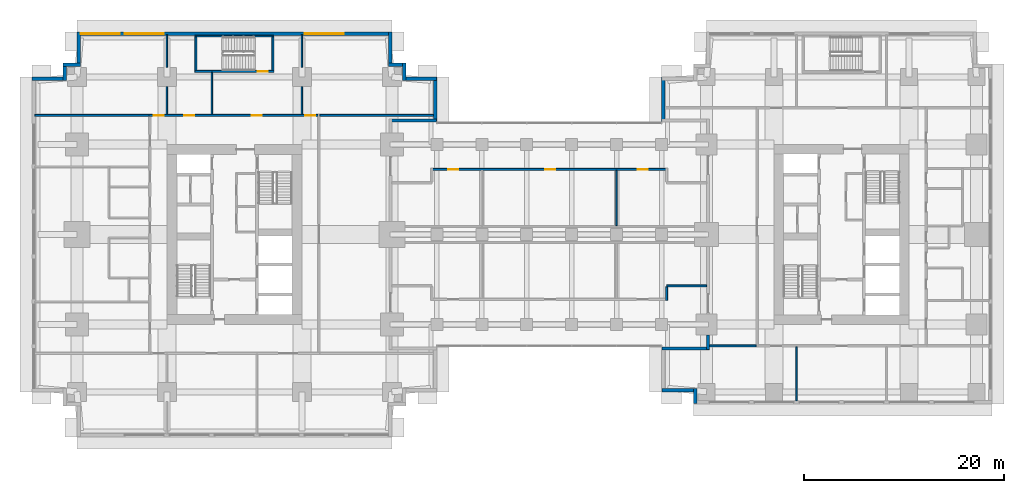
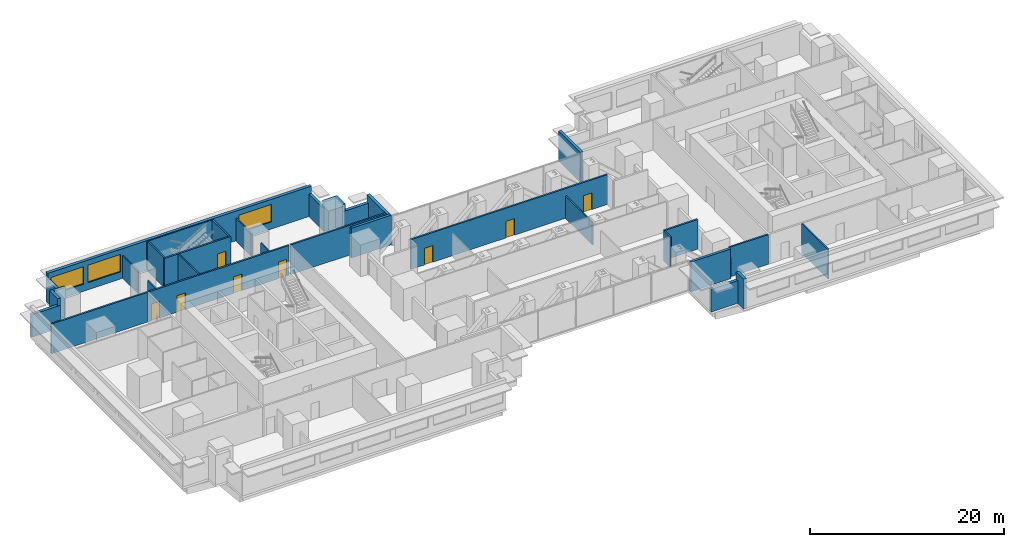
# One storey, part 9 of 16: 34 walls, 8 doors, 3 windows, 11 openings.
"""IFC4 building model written with IfcOpenShell, lengths in metres."""

from ifc_helpers import new_model, si_unit, direction, frame, frame_2d, origin, place, context, subcontext, project, spatial, rectangle, extrude, material, layer, layer_set, type_object, element, fill, save


model = new_model("IFC4")

# Units and contexts
model_context = context("Model", 3, precision=1e-05, world=origin(), true_north=direction((0.0, 1.0)))
body_context = subcontext(model_context, "Body", "Model", "MODEL_VIEW")
ifc_project = project(units=[si_unit("LENGTHUNIT", "METRE"), si_unit("AREAUNIT", "SQUARE_METRE"), si_unit("VOLUMEUNIT", "CUBIC_METRE"), si_unit("PLANEANGLEUNIT", "RADIAN"), si_unit("MASSUNIT", "GRAM", prefix="KILO")], contexts=[model_context])

# Site, building, storey
site_placement = place(None, origin())
site = spatial("IfcSite", under=ifc_project, at=site_placement, CompositionType="ELEMENT")
building_placement = place(site_placement, origin())
building = spatial("IfcBuilding", under=site, at=building_placement, Name="Namib Vertical Campus", CompositionType="ELEMENT")
storey_placement = place(building_placement, frame((0.0, 0.0, 113.0)))
storey = spatial("IfcBuildingStorey", under=building, at=storey_placement, Name="L26", CompositionType="ELEMENT", Elevation=113.0)

# Wall, openings, doors
ifc_material_1 = material(Name="Concrete masonry", Category="masonry")
ifc_layer_1 = layer(ifc_material_1, 0.199951171875)
ifc_layer_set_1 = layer_set([ifc_layer_1], Name="Corridor wall 200")
wall_type_1 = type_object("IfcWallType", Name="Corridor wall 200", PredefinedType="SOLIDWALL", material=ifc_layer_set_1)
wall_1_placement = place(storey_placement, frame((28.60009765625, 32.14990234375, 0.0), z_axis=(0.0, 0.0, 1.0), x_axis=(-1.0, 0.0, 0.0)))
wall_1 = element("IfcWall", 1, at=wall_1_placement, inside=storey, type_object=wall_type_1, Name="Corridor wall A L26 CN", PredefinedType="SOLIDWALL", context=body_context, shape_type="SweptSolid", body=[
    extrude(rectangle(XDim=16.900146484375, YDim=0.199951171875, at=frame_2d((8.4501953125, 0.0))), origin(), (0.0, 0.0, 1.0), 3.75),
])
opening_1_placement = place(wall_1_placement, frame((15.425048828125, 0.0, 0.0)))
opening_1 = element("IfcOpeningElement", 2, at=opening_1_placement, cuts=wall_1, Name="Opening CD1", PredefinedType="OPENING", context=body_context, shape_type="SweptSolid", body=[
    extrude(rectangle(XDim=1.0, YDim=2.10009765625, at=frame_2d((0.5, 1.050048828125))), frame((0.0, 0.10986328125, 0.0), z_axis=(0.0, -1.0, 0.0), x_axis=(1.0, 0.0, 0.0)), (0.0, 0.0, 1.0), 0.219970703125),
])
opening_2_placement = place(wall_1_placement, frame((12.35009765625, 0.0, 0.0)))
opening_2 = element("IfcOpeningElement", 3, at=opening_2_placement, cuts=wall_1, Name="Opening CD1", PredefinedType="OPENING", context=body_context, shape_type="SweptSolid", body=[
    extrude(rectangle(XDim=1.0, YDim=2.10009765625, at=frame_2d((0.5, 1.050048828125))), frame((0.0, 0.10986328125, 0.0), z_axis=(0.0, -1.0, 0.0), x_axis=(1.0, 0.0, 0.0)), (0.0, 0.0, 1.0), 0.219970703125),
])
opening_3_placement = place(wall_1_placement, frame((5.60009765625, 0.0, 0.0)))
opening_3 = element("IfcOpeningElement", 4, at=opening_3_placement, cuts=wall_1, Name="Opening CD1", PredefinedType="OPENING", context=body_context, shape_type="SweptSolid", body=[
    extrude(rectangle(XDim=1.0, YDim=2.10009765625, at=frame_2d((0.5, 1.050048828125))), frame((0.0, 0.10986328125, 0.0), z_axis=(0.0, -1.0, 0.0), x_axis=(1.0, 0.0, 0.0)), (0.0, 0.0, 1.0), 0.219970703125),
])
opening_4_placement = place(wall_1_placement, frame((0.27490234375, 0.0, 0.0)))
opening_4 = element("IfcOpeningElement", 5, at=opening_4_placement, cuts=wall_1, Name="Opening CD1", PredefinedType="OPENING", context=body_context, shape_type="SweptSolid", body=[
    extrude(rectangle(XDim=1.0, YDim=2.10009765625, at=frame_2d((0.5, 1.050048828125))), frame((0.0, 0.10986328125, 0.0), z_axis=(0.0, -1.0, 0.0), x_axis=(1.0, 0.0, 0.0)), (0.0, 0.0, 1.0), 0.219970703125),
])
ifc_material_2 = material(Name="Timber fire door leaf", Category="wood")
door_type_1 = type_object("IfcDoorType", Name="Corridor door 1000x2100 20 min", OperationType="SINGLE_SWING_LEFT", PredefinedType="DOOR", material=ifc_material_2)
door_1_placement = place(opening_1_placement, frame((1.0, 0.0, 0.0), z_axis=(0.0, 0.0, 1.0), x_axis=(-1.0, 0.0, 0.0)))
door_1 = element("IfcDoor", 6, at=door_1_placement, inside=storey, type_object=door_type_1, Name="Door CD1 A26-05", OperationType="SINGLE_SWING_RIGHT", OverallHeight=2.10009765625, OverallWidth=1.0, PredefinedType="DOOR", context=body_context, shape_type="SweptSolid", body=[
    extrude(rectangle(XDim=1.0, YDim=2.10009765625, at=frame_2d((0.5, 1.050048828125))), frame((0.0, 0.02490234375, 0.0), z_axis=(0.0, -1.0, 0.0), x_axis=(1.0, 0.0, 0.0)), (0.0, 0.0, 1.0), 0.050048828125),
])
fill(opening_1, door_1)
door_2_placement = place(opening_2_placement, frame((1.0, 0.0, 0.0), z_axis=(0.0, 0.0, 1.0), x_axis=(-1.0, 0.0, 0.0)))
door_2 = element("IfcDoor", 7, at=door_2_placement, inside=storey, type_object=door_type_1, Name="Door CD1 A26-06", OperationType="SINGLE_SWING_RIGHT", OverallHeight=2.10009765625, OverallWidth=1.0, PredefinedType="DOOR", context=body_context, shape_type="SweptSolid", body=[
    extrude(rectangle(XDim=1.0, YDim=2.10009765625, at=frame_2d((0.5, 1.050048828125))), frame((0.0, 0.02490234375, 0.0), z_axis=(0.0, -1.0, 0.0), x_axis=(1.0, 0.0, 0.0)), (0.0, 0.0, 1.0), 0.050048828125),
])
fill(opening_2, door_2)
door_3_placement = place(opening_3_placement, frame((1.0, 0.0, 0.0), z_axis=(0.0, 0.0, 1.0), x_axis=(-1.0, 0.0, 0.0)))
door_3 = element("IfcDoor", 8, at=door_3_placement, inside=storey, type_object=door_type_1, Name="Door CD1 A26-07", OperationType="SINGLE_SWING_RIGHT", OverallHeight=2.10009765625, OverallWidth=1.0, PredefinedType="DOOR", context=body_context, shape_type="SweptSolid", body=[
    extrude(rectangle(XDim=1.0, YDim=2.10009765625, at=frame_2d((0.5, 1.050048828125))), frame((0.0, 0.02490234375, 0.0), z_axis=(0.0, -1.0, 0.0), x_axis=(1.0, 0.0, 0.0)), (0.0, 0.0, 1.0), 0.050048828125),
])
fill(opening_3, door_3)
door_4_placement = place(opening_4_placement, frame((1.0, 0.0, 0.0), z_axis=(0.0, 0.0, 1.0), x_axis=(-1.0, 0.0, 0.0)))
door_4 = element("IfcDoor", 9, at=door_4_placement, inside=storey, type_object=door_type_1, Name="Door CD1 A26-08", OperationType="SINGLE_SWING_LEFT", OverallHeight=2.10009765625, OverallWidth=1.0, PredefinedType="DOOR", context=body_context, shape_type="SweptSolid", body=[
    extrude(rectangle(XDim=1.0, YDim=2.10009765625, at=frame_2d((0.5, 1.050048828125))), frame((0.0, 0.02490234375, 0.0), z_axis=(0.0, -1.0, 0.0), x_axis=(1.0, 0.0, 0.0)), (0.0, 0.0, 1.0), 0.050048828125),
])
fill(opening_4, door_4)

# Walls
for number, where, z_axis, x_axis, name in (
    (10, (0.300048828125, 32.14990234375, 0.0), (0.0, 0.0, 1.0), (1.0, 0.0, 0.0), "Partition A L26 BNW"),
    (11, (28.800048828125, 32.14990234375, 0.0), (0.0, 0.0, 1.0), (1.0, 0.0, 0.0), "Partition A L26 BNE"),
):
    element("IfcWall", number, at=place(storey_placement, frame(where, z_axis=z_axis, x_axis=x_axis)), inside=storey, type_object=wall_type_1, Name=name, PredefinedType="SOLIDWALL", context=body_context, shape_type="SweptSolid", body=[
        extrude(rectangle(XDim=11.39990234375, YDim=0.199951171875, at=frame_2d((5.699951171875, 0.0))), origin(), (0.0, 0.0, 1.0), 3.75),
    ])
wall_2_placement = place(storey_placement, frame((67.800048828125, 9.10009765625, 0.0), z_axis=(0.0, 0.0, 1.0), x_axis=(1.0, 0.0, 0.0)))
element("IfcWall", 12, at=wall_2_placement, inside=storey, type_object=wall_type_1, Name="Partition B L26 BSW", PredefinedType="SOLIDWALL", context=body_context, shape_type="SweptSolid", body=[
    extrude(rectangle(XDim=4.64990234375, YDim=0.199951171875, at=frame_2d((2.324951171875, 0.0))), origin(), (0.0, 0.0, 1.0), 3.75),
])
wall_3_placement = place(storey_placement, frame((63.5, 15.10009765625, 0.0), z_axis=(0.0, 0.0, 1.0), x_axis=(1.0, 0.0, 0.0)))
element("IfcWall", 13, at=wall_3_placement, inside=storey, type_object=wall_type_1, Name="Lobby wall L26 E", PredefinedType="SOLIDWALL", context=body_context, shape_type="SweptSolid", body=[
    extrude(rectangle(XDim=4.0, YDim=0.199951171875, at=frame_2d((2.0, 0.0))), origin(), (0.0, 0.0, 1.0), 3.75),
])
wall_4_placement = place(storey_placement, frame((63.5, 13.64990234375, 0.0), z_axis=(0.0, 0.0, 1.0), x_axis=(0.0, 1.0, 0.0)))
element("IfcWall", 14, at=wall_4_placement, inside=storey, type_object=wall_type_1, Name="Lobby side wall L26 E", PredefinedType="SOLIDWALL", context=body_context, shape_type="SweptSolid", body=[
    extrude(rectangle(XDim=1.35009765625, YDim=0.199951171875, at=frame_2d((0.675048828125, 0.0))), origin(), (0.0, 0.0, 1.0), 3.75),
])

# Wall, openings, doors
wall_5_placement = place(storey_placement, frame((40.0, 26.75, 0.0), z_axis=(0.0, 0.0, 1.0), x_axis=(1.0, 0.0, 0.0)))
wall_5 = element("IfcWall", 15, at=wall_5_placement, inside=storey, type_object=wall_type_1, Name="North corridor wall L26", PredefinedType="SOLIDWALL", context=body_context, shape_type="SweptSolid", body=[
    extrude(rectangle(XDim=23.5, YDim=0.199951171875, at=frame_2d((11.75, 0.0))), origin(), (0.0, 0.0, 1.0), 3.75),
])
opening_5_placement = place(wall_5_placement, frame((1.64990234375, 0.0, 0.0)))
opening_5 = element("IfcOpeningElement", 16, at=opening_5_placement, cuts=wall_5, Name="Opening CD1", PredefinedType="OPENING", context=body_context, shape_type="SweptSolid", body=[
    extrude(rectangle(XDim=1.0, YDim=2.10009765625, at=frame_2d((0.5, 1.050048828125))), frame((0.0, 0.10986328125, 0.0), z_axis=(0.0, -1.0, 0.0), x_axis=(1.0, 0.0, 0.0)), (0.0, 0.0, 1.0), 0.219970703125),
])
opening_6_placement = place(wall_5_placement, frame((11.35009765625, 0.0, 0.0)))
opening_6 = element("IfcOpeningElement", 17, at=opening_6_placement, cuts=wall_5, Name="Opening CD1", PredefinedType="OPENING", context=body_context, shape_type="SweptSolid", body=[
    extrude(rectangle(XDim=1.0, YDim=2.10009765625, at=frame_2d((0.5, 1.050048828125))), frame((0.0, 0.10986328125, 0.0), z_axis=(0.0, -1.0, 0.0), x_axis=(1.0, 0.0, 0.0)), (0.0, 0.0, 1.0), 0.219970703125),
])
opening_7_placement = place(wall_5_placement, frame((20.60009765625, 0.0, 0.0)))
opening_7 = element("IfcOpeningElement", 18, at=opening_7_placement, cuts=wall_5, Name="Opening CD1", PredefinedType="OPENING", context=body_context, shape_type="SweptSolid", body=[
    extrude(rectangle(XDim=1.0, YDim=2.10009765625, at=frame_2d((0.5, 1.050048828125))), frame((0.0, 0.10986328125, 0.0), z_axis=(0.0, -1.0, 0.0), x_axis=(1.0, 0.0, 0.0)), (0.0, 0.0, 1.0), 0.219970703125),
])
door_5_placement = place(opening_5_placement, frame((1.0, 0.0, 0.0), z_axis=(0.0, 0.0, 1.0), x_axis=(-1.0, 0.0, 0.0)))
door_5 = element("IfcDoor", 19, at=door_5_placement, inside=storey, type_object=door_type_1, Name="Door CD1 BR26-06", OperationType="SINGLE_SWING_RIGHT", OverallHeight=2.10009765625, OverallWidth=1.0, PredefinedType="DOOR", context=body_context, shape_type="SweptSolid", body=[
    extrude(rectangle(XDim=1.0, YDim=2.10009765625, at=frame_2d((0.5, 1.050048828125))), frame((0.0, 0.02490234375, 0.0), z_axis=(0.0, -1.0, 0.0), x_axis=(1.0, 0.0, 0.0)), (0.0, 0.0, 1.0), 0.050048828125),
])
fill(opening_5, door_5)
door_6_placement = place(opening_6_placement, frame((1.0, 0.0, 0.0), z_axis=(0.0, 0.0, 1.0), x_axis=(-1.0, 0.0, 0.0)))
door_6 = element("IfcDoor", 20, at=door_6_placement, inside=storey, type_object=door_type_1, Name="Door CD1 BR26-07", OperationType="SINGLE_SWING_LEFT", OverallHeight=2.10009765625, OverallWidth=1.0, PredefinedType="DOOR", context=body_context, shape_type="SweptSolid", body=[
    extrude(rectangle(XDim=1.0, YDim=2.10009765625, at=frame_2d((0.5, 1.050048828125))), frame((0.0, 0.02490234375, 0.0), z_axis=(0.0, -1.0, 0.0), x_axis=(1.0, 0.0, 0.0)), (0.0, 0.0, 1.0), 0.050048828125),
])
fill(opening_6, door_6)
door_7_placement = place(opening_7_placement, frame((1.0, 0.0, 0.0), z_axis=(0.0, 0.0, 1.0), x_axis=(-1.0, 0.0, 0.0)))
door_7 = element("IfcDoor", 21, at=door_7_placement, inside=storey, type_object=door_type_1, Name="Door CD1 BR26-08", OperationType="SINGLE_SWING_LEFT", OverallHeight=2.10009765625, OverallWidth=1.0, PredefinedType="DOOR", context=body_context, shape_type="SweptSolid", body=[
    extrude(rectangle(XDim=1.0, YDim=2.10009765625, at=frame_2d((0.5, 1.050048828125))), frame((0.0, 0.02490234375, 0.0), z_axis=(0.0, -1.0, 0.0), x_axis=(1.0, 0.0, 0.0)), (0.0, 0.0, 1.0), 0.050048828125),
])
fill(opening_7, door_7)

# Walls
ifc_material_3 = material(Name="Concrete C40/50", Category="concrete")
ifc_layer_2 = layer(ifc_material_3, 0.35009765625)
ifc_layer_set_2 = layer_set([ifc_layer_2], Name="Concrete C40/50")
wall_type_2 = type_object("IfcWallType", Name="External wall 350 bush-hammered concrete", PredefinedType="STANDARD", material=ifc_layer_set_2)
wall_6_placement = place(storey_placement, frame((40.324951171875, 31.52001953125, 0.0), z_axis=(0.0, 0.0, 1.0), x_axis=(0.0, 1.0, 0.0)))
element("IfcWall", 22, at=wall_6_placement, inside=storey, type_object=wall_type_2, Name="External wall L26 F11", PredefinedType="STANDARD", context=body_context, shape_type="SweptSolid", body=[
    extrude(rectangle(XDim=4.4599609375, YDim=0.35009765625, at=frame_2d((2.22998046875, 0.0))), origin(), (0.0, 0.0, 1.0), 3.75),
])
wall_7_placement = place(storey_placement, frame((40.47998046875, 35.824951171875, 0.0), z_axis=(0.0, 0.0, 1.0), x_axis=(-1.0, 0.0, 0.0)))
element("IfcWall", 23, at=wall_7_placement, inside=storey, type_object=wall_type_2, Name="External wall L26 F12", PredefinedType="STANDARD", context=body_context, shape_type="SweptSolid", body=[
    extrude(rectangle(XDim=3.409912109375, YDim=0.35009765625, at=frame_2d((1.705078125, 0.0))), origin(), (0.0, 0.0, 1.0), 2.85009765625),
])
for number, where, z_axis, x_axis, name in (
    (24, (37.22509765625, 35.669921875, 0.0), (0.0, 0.0, 1.0), (0.0, 1.0, 0.0), "External wall L26 F13"),
    (25, (37.3798828125, 37.22509765625, 0.0), (0.0, 0.0, 1.0), (-1.0, 0.0, 0.0), "External wall L26 F14"),
):
    element("IfcWall", number, at=place(storey_placement, frame(where, z_axis=z_axis, x_axis=x_axis)), inside=storey, type_object=wall_type_2, Name=name, PredefinedType="STANDARD", context=body_context, shape_type="SweptSolid", body=[
        extrude(rectangle(XDim=1.7099609375, YDim=0.35009765625, at=frame_2d((0.85498046875, 0.0))), origin(), (0.0, 0.0, 1.0), 3.75),
    ])
wall_8_placement = place(storey_placement, frame((35.824951171875, 37.070068359375, 0.0), z_axis=(0.0, 0.0, 1.0), x_axis=(0.0, 1.0, 0.0)))
element("IfcWall", 26, at=wall_8_placement, inside=storey, type_object=wall_type_2, Name="External wall L26 F15", PredefinedType="STANDARD", context=body_context, shape_type="SweptSolid", body=[
    extrude(rectangle(XDim=3.409912109375, YDim=0.35009765625, at=frame_2d((1.705078125, 0.0))), origin(), (0.0, 0.0, 1.0), 2.85009765625),
])

# Wall, openings, windows
wall_9_placement = place(storey_placement, frame((35.97998046875, 40.324951171875, 0.0), z_axis=(0.0, 0.0, 1.0), x_axis=(-1.0, 0.0, 0.0)))
wall_9 = element("IfcWall", 27, at=wall_9_placement, inside=storey, type_object=wall_type_2, Name="External wall L26 F16", PredefinedType="STANDARD", context=body_context, shape_type="SweptSolid", body=[
    extrude(rectangle(XDim=31.4599609375, YDim=0.35009765625, at=frame_2d((15.72998046875, 0.0))), origin(), (0.0, 0.0, 1.0), 3.75),
])
opening_8_placement = place(wall_9_placement, frame((27.2099609375, 0.0, 0.89990234375)))
opening_8 = element("IfcOpeningElement", 28, at=opening_8_placement, cuts=wall_9, Name="Opening W1", PredefinedType="OPENING", context=body_context, shape_type="SweptSolid", body=[
    extrude(rectangle(XDim=3.89990234375, YDim=2.199951171875, at=frame_2d((1.949951171875, 1.10009765625))), frame((0.0, 0.18505859375, 0.0), z_axis=(0.0, -1.0, 0.0), x_axis=(1.0, 0.0, 0.0)), (0.0, 0.0, 1.0), 0.3701171875),
])
opening_9_placement = place(wall_9_placement, frame((22.780029296875, 0.0, 0.89990234375)))
opening_9 = element("IfcOpeningElement", 29, at=opening_9_placement, cuts=wall_9, Name="Opening W1", PredefinedType="OPENING", context=body_context, shape_type="SweptSolid", body=[
    extrude(rectangle(XDim=3.89990234375, YDim=2.199951171875, at=frame_2d((1.949951171875, 1.10009765625))), frame((0.0, 0.18505859375, 0.0), z_axis=(0.0, -1.0, 0.0), x_axis=(1.0, 0.0, 0.0)), (0.0, 0.0, 1.0), 0.3701171875),
])
opening_10_placement = place(wall_9_placement, frame((4.780029296875, 0.0, 0.89990234375)))
opening_10 = element("IfcOpeningElement", 30, at=opening_10_placement, cuts=wall_9, Name="Opening W1", PredefinedType="OPENING", context=body_context, shape_type="SweptSolid", body=[
    extrude(rectangle(XDim=3.89990234375, YDim=2.199951171875, at=frame_2d((1.949951171875, 1.10009765625))), frame((0.0, 0.18505859375, 0.0), z_axis=(0.0, -1.0, 0.0), x_axis=(1.0, 0.0, 0.0)), (0.0, 0.0, 1.0), 0.3701171875),
])
ifc_material_4 = material(Name="Dark tinted glass in black aluminium frame", Category="aluminium")
window_type = type_object("IfcWindowType", Name="Ribbon window 3900x2200", PartitioningType="SINGLE_PANEL", PredefinedType="WINDOW", material=ifc_material_4)
window_1_placement = place(opening_8_placement, origin())
window_1 = element("IfcWindow", 31, at=window_1_placement, inside=storey, type_object=window_type, Name="Window W1 L26 F16-1", OverallHeight=2.199951171875, OverallWidth=3.89990234375, PartitioningType="SINGLE_PANEL", PredefinedType="WINDOW", context=body_context, shape_type="SweptSolid", body=[
    extrude(rectangle(XDim=3.89990234375, YDim=2.199951171875, at=frame_2d((1.949951171875, 1.10009765625))), frame((0.0, 0.030029296875, 0.0), z_axis=(0.0, -1.0, 0.0), x_axis=(1.0, 0.0, 0.0)), (0.0, 0.0, 1.0), 0.06005859375),
])
fill(opening_8, window_1)
window_2_placement = place(opening_9_placement, origin())
window_2 = element("IfcWindow", 32, at=window_2_placement, inside=storey, type_object=window_type, Name="Window W1 L26 F16-2", OverallHeight=2.199951171875, OverallWidth=3.89990234375, PartitioningType="SINGLE_PANEL", PredefinedType="WINDOW", context=body_context, shape_type="SweptSolid", body=[
    extrude(rectangle(XDim=3.89990234375, YDim=2.199951171875, at=frame_2d((1.949951171875, 1.10009765625))), frame((0.0, 0.030029296875, 0.0), z_axis=(0.0, -1.0, 0.0), x_axis=(1.0, 0.0, 0.0)), (0.0, 0.0, 1.0), 0.06005859375),
])
fill(opening_9, window_2)
window_3_placement = place(opening_10_placement, origin())
window_3 = element("IfcWindow", 33, at=window_3_placement, inside=storey, type_object=window_type, Name="Window W1 L26 F16-6", OverallHeight=2.199951171875, OverallWidth=3.89990234375, PartitioningType="SINGLE_PANEL", PredefinedType="WINDOW", context=body_context, shape_type="SweptSolid", body=[
    extrude(rectangle(XDim=3.89990234375, YDim=2.199951171875, at=frame_2d((1.949951171875, 1.10009765625))), frame((0.0, 0.030029296875, 0.0), z_axis=(0.0, -1.0, 0.0), x_axis=(1.0, 0.0, 0.0)), (0.0, 0.0, 1.0), 0.06005859375),
])
fill(opening_10, window_3)

# Walls
wall_10_placement = place(storey_placement, frame((4.675048828125, 40.47998046875, 0.0), z_axis=(0.0, 0.0, 1.0), x_axis=(0.0, -1.0, 0.0)))
element("IfcWall", 34, at=wall_10_placement, inside=storey, type_object=wall_type_2, Name="External wall L26 F17", PredefinedType="STANDARD", context=body_context, shape_type="SweptSolid", body=[
    extrude(rectangle(XDim=3.409912109375, YDim=0.35009765625, at=frame_2d((1.705078125, 0.0))), origin(), (0.0, 0.0, 1.0), 2.85009765625),
])
for number, where, z_axis, x_axis, name in (
    (35, (4.830078125, 37.22509765625, 0.0), (0.0, 0.0, 1.0), (-1.0, 0.0, 0.0), "External wall L26 F18"),
    (36, (3.27490234375, 37.3798828125, 0.0), (0.0, 0.0, 1.0), (0.0, -1.0, 0.0), "External wall L26 F19"),
):
    element("IfcWall", number, at=place(storey_placement, frame(where, z_axis=z_axis, x_axis=x_axis)), inside=storey, type_object=wall_type_2, Name=name, PredefinedType="STANDARD", context=body_context, shape_type="SweptSolid", body=[
        extrude(rectangle(XDim=1.7099609375, YDim=0.35009765625, at=frame_2d((0.85498046875, 0.0))), origin(), (0.0, 0.0, 1.0), 3.75),
    ])
wall_11_placement = place(storey_placement, frame((3.429931640625, 35.824951171875, 0.0), z_axis=(0.0, 0.0, 1.0), x_axis=(-1.0, 0.0, 0.0)))
element("IfcWall", 37, at=wall_11_placement, inside=storey, type_object=wall_type_2, Name="External wall L26 F20", PredefinedType="STANDARD", context=body_context, shape_type="SweptSolid", body=[
    extrude(rectangle(XDim=3.409912109375, YDim=0.35009765625, at=frame_2d((1.705078125, 0.0))), origin(), (0.0, 0.0, 1.0), 2.85009765625),
])
wall_12_placement = place(storey_placement, frame((63.02001953125, 4.675048828125, 0.0), z_axis=(0.0, 0.0, 1.0), x_axis=(1.0, 0.0, 0.0)))
element("IfcWall", 38, at=wall_12_placement, inside=storey, type_object=wall_type_2, Name="External wall L26 F02", PredefinedType="STANDARD", context=body_context, shape_type="SweptSolid", body=[
    extrude(rectangle(XDim=3.510009765625, YDim=0.35009765625, at=frame_2d((1.7548828125, 0.0))), origin(), (0.0, 0.0, 1.0), 2.85009765625),
])
wall_13_placement = place(storey_placement, frame((66.375, 4.830078125, 0.0), z_axis=(0.0, 0.0, 1.0), x_axis=(0.0, -1.0, 0.0)))
element("IfcWall", 39, at=wall_13_placement, inside=storey, type_object=wall_type_2, Name="External wall L26 F03", PredefinedType="STANDARD", context=body_context, shape_type="SweptSolid", body=[
    extrude(rectangle(XDim=1.510009765625, YDim=0.35009765625, at=frame_2d((0.7548828125, 0.0))), origin(), (0.0, 0.0, 1.0), 3.75),
])
wall_14_placement = place(storey_placement, frame((63.175048828125, 35.97998046875, 0.0), z_axis=(0.0, 0.0, 1.0), x_axis=(0.0, -1.0, 0.0)))
element("IfcWall", 40, at=wall_14_placement, inside=storey, type_object=wall_type_2, Name="External wall L26 F13", PredefinedType="STANDARD", context=body_context, shape_type="SweptSolid", body=[
    extrude(rectangle(XDim=4.4599609375, YDim=0.35009765625, at=frame_2d((2.22998046875, 0.0))), origin(), (0.0, 0.0, 1.0), 3.75),
])
ifc_material_5 = material(Name="Concrete masonry", Category="masonry")
ifc_layer_3 = layer(ifc_material_5, 0.300048828125)
ifc_layer_set_3 = layer_set([ifc_layer_3], Name="Fire wall 300")
wall_type_3 = type_object("IfcWallType", Name="Fire wall 300", PredefinedType="SOLIDWALL", material=ifc_layer_set_3)
wall_15_placement = place(storey_placement, frame((35.719970703125, 31.64990234375, 0.0), z_axis=(0.0, 0.0, 1.0), x_axis=(1.0, 0.0, 0.0)))
element("IfcWall", 41, at=wall_15_placement, inside=storey, type_object=wall_type_3, Name="External wall L26 F10", PredefinedType="SOLIDWALL", context=body_context, shape_type="SweptSolid", body=[
    extrude(rectangle(XDim=4.760009765625, YDim=0.300048828125, at=frame_2d((2.3798828125, 0.0))), origin(), (0.0, 0.0, 1.0), 3.75),
])
wall_16_placement = place(storey_placement, frame((67.64990234375, 10.199951171875, 0.0), z_axis=(0.0, 0.0, 1.0), x_axis=(0.0, -1.0, 0.0)))
element("IfcWall", 42, at=wall_16_placement, inside=storey, type_object=wall_type_3, Name="External wall L26 F15", PredefinedType="SOLIDWALL", context=body_context, shape_type="SweptSolid", body=[
    extrude(rectangle(XDim=1.47998046875, YDim=0.300048828125, at=frame_2d((0.739990234375, 0.0))), origin(), (0.0, 0.0, 1.0), 2.64990234375),
])
wall_17_placement = place(storey_placement, frame((67.780029296875, 8.85009765625, 0.0), z_axis=(0.0, 0.0, 1.0), x_axis=(-1.0, 0.0, 0.0)))
element("IfcWall", 43, at=wall_17_placement, inside=storey, type_object=wall_type_3, Name="External wall L26 F16", PredefinedType="SOLIDWALL", context=body_context, shape_type="SweptSolid", body=[
    extrude(rectangle(XDim=4.760009765625, YDim=0.300048828125, at=frame_2d((2.3798828125, 0.0))), origin(), (0.0, 0.0, 1.0), 3.75),
])
ifc_material_6 = material(Name="Gypsum board on steel studs", Category="steel")
ifc_layer_4 = layer(ifc_material_6, 0.14990234375)
ifc_layer_set_4 = layer_set([ifc_layer_4], Name="Gypsum board on steel studs")
wall_type_4 = type_object("IfcWallType", Name="Partition 150", PredefinedType="PARTITIONING", material=ifc_layer_set_4)
wall_18_placement = place(storey_placement, frame((13.5, 32.25, 0.0), z_axis=(0.0, 0.0, 1.0), x_axis=(0.0, 1.0, 0.0)))
element("IfcWall", 44, at=wall_18_placement, inside=storey, type_object=wall_type_4, Name="Partition A L26 PN1", PredefinedType="PARTITIONING", context=body_context, shape_type="SweptSolid", body=[
    extrude(rectangle(XDim=2.780029296875, YDim=0.14990234375, at=frame_2d((1.39013671875, 0.0))), origin(), (0.0, 0.0, 1.0), 2.85009765625),
])
wall_19_placement = place(storey_placement, frame((13.5, 36.969970703125, 0.0), z_axis=(0.0, 0.0, 1.0), x_axis=(0.0, 1.0, 0.0)))
element("IfcWall", 45, at=wall_19_placement, inside=storey, type_object=wall_type_4, Name="Partition A L26 PN1", PredefinedType="PARTITIONING", context=body_context, shape_type="SweptSolid", body=[
    extrude(rectangle(XDim=3.22998046875, YDim=0.14990234375, at=frame_2d((1.614990234375, 0.0))), origin(), (0.0, 0.0, 1.0), 2.85009765625),
])
wall_20_placement = place(storey_placement, frame((18.0, 32.25, 0.0), z_axis=(0.0, 0.0, 1.0), x_axis=(0.0, 1.0, 0.0)))
element("IfcWall", 46, at=wall_20_placement, inside=storey, type_object=wall_type_4, Name="Partition A L26 PN2", PredefinedType="PARTITIONING", context=body_context, shape_type="SweptSolid", body=[
    extrude(rectangle(XDim=4.199951171875, YDim=0.14990234375, at=frame_2d((2.10009765625, 0.0))), origin(), (0.0, 0.0, 1.0), 3.75),
])
wall_21_placement = place(storey_placement, frame((27.0, 32.25, 0.0), z_axis=(0.0, 0.0, 1.0), x_axis=(0.0, 1.0, 0.0)))
element("IfcWall", 47, at=wall_21_placement, inside=storey, type_object=wall_type_4, Name="Partition A L26 PN3", PredefinedType="PARTITIONING", context=body_context, shape_type="SweptSolid", body=[
    extrude(rectangle(XDim=2.780029296875, YDim=0.14990234375, at=frame_2d((1.39013671875, 0.0))), origin(), (0.0, 0.0, 1.0), 2.85009765625),
])
wall_22_placement = place(storey_placement, frame((27.0, 36.969970703125, 0.0), z_axis=(0.0, 0.0, 1.0), x_axis=(0.0, 1.0, 0.0)))
element("IfcWall", 48, at=wall_22_placement, inside=storey, type_object=wall_type_4, Name="Partition A L26 PN3", PredefinedType="PARTITIONING", context=body_context, shape_type="SweptSolid", body=[
    extrude(rectangle(XDim=3.22998046875, YDim=0.14990234375, at=frame_2d((1.614990234375, 0.0))), origin(), (0.0, 0.0, 1.0), 2.85009765625),
])
wall_23_placement = place(storey_placement, frame((76.5, 3.60009765625, 0.0), z_axis=(0.0, 0.0, 1.0), x_axis=(0.0, 1.0, 0.0)))
element("IfcWall", 49, at=wall_23_placement, inside=storey, type_object=wall_type_4, Name="Partition B L26 PS1", PredefinedType="PARTITIONING", context=body_context, shape_type="SweptSolid", body=[
    extrude(rectangle(XDim=5.39990234375, YDim=0.14990234375, at=frame_2d((2.699951171875, 0.0))), origin(), (0.0, 0.0, 1.0), 3.75),
])
wall_24_placement = place(storey_placement, frame((58.5, 26.64990234375, 0.0), z_axis=(0.0, 0.0, 1.0), x_axis=(0.0, -1.0, 0.0)))
element("IfcWall", 50, at=wall_24_placement, inside=storey, type_object=wall_type_4, Name="Partition bridge L26 N2", PredefinedType="PARTITIONING", context=body_context, shape_type="SweptSolid", body=[
    extrude(rectangle(XDim=5.52490234375, YDim=0.14990234375, at=frame_2d((2.762451171875, 0.0))), origin(), (0.0, 0.0, 1.0), 2.82958984375),
])
ifc_material_7 = material(Name="Concrete C40/50", Category="concrete")
ifc_layer_5 = layer(ifc_material_7, 0.14990234375)
ifc_layer_set_5 = layer_set([ifc_layer_5], Name="Concrete C40/50")
wall_type_5 = type_object("IfcWallType", Name="Stair enclosure wall RC 150", PredefinedType="SOLIDWALL", material=ifc_layer_set_5)
wall_25_placement = place(storey_placement, frame((16.300048828125, 40.074951171875, 0.0), z_axis=(0.0, 0.0, 1.0), x_axis=(1.0, 0.0, 0.0)))
element("IfcWall", 51, at=wall_25_placement, inside=storey, type_object=wall_type_5, Name="Stair enclosure wall A-S3 L26 N", PredefinedType="SOLIDWALL", context=body_context, shape_type="SweptSolid", body=[
    extrude(rectangle(XDim=7.89990234375, YDim=0.14990234375, at=frame_2d((3.949951171875, 0.0))), origin(), (0.0, 0.0, 1.0), 3.75),
])

# Wall, opening, door
ifc_material_8 = material(Name="Concrete C40/50", Category="concrete")
ifc_layer_6 = layer(ifc_material_8, 0.199951171875)
ifc_layer_set_6 = layer_set([ifc_layer_6], Name="Concrete C40/50")
wall_type_6 = type_object("IfcWallType", Name="Stair enclosure wall RC 200", PredefinedType="SOLIDWALL", material=ifc_layer_set_6)
wall_26_placement = place(storey_placement, frame((16.300048828125, 36.550048828125, 0.0), z_axis=(0.0, 0.0, 1.0), x_axis=(1.0, 0.0, 0.0)))
wall_26 = element("IfcWall", 52, at=wall_26_placement, inside=storey, type_object=wall_type_6, Name="Stair enclosure wall A-S3 L26 S", PredefinedType="SOLIDWALL", context=body_context, shape_type="SweptSolid", body=[
    extrude(rectangle(XDim=7.89990234375, YDim=0.199951171875, at=frame_2d((3.949951171875, 0.0))), origin(), (0.0, 0.0, 1.0), 3.75),
])
opening_11_placement = place(wall_26_placement, frame((6.300048828125, 0.0, 0.0)))
opening_11 = element("IfcOpeningElement", 53, at=opening_11_placement, cuts=wall_26, Name="Opening FD1", PredefinedType="OPENING", context=body_context, shape_type="SweptSolid", body=[
    extrude(rectangle(XDim=1.0, YDim=2.10009765625, at=frame_2d((0.5, 1.050048828125))), frame((0.0, 0.10986328125, 0.0), z_axis=(0.0, -1.0, 0.0), x_axis=(1.0, 0.0, 0.0)), (0.0, 0.0, 1.0), 0.219970703125),
])
ifc_material_9 = material(Name="Steel fire door", Category="steel")
door_type_2 = type_object("IfcDoorType", Name="Fire door 1000x2100", OperationType="SINGLE_SWING_RIGHT", PredefinedType="DOOR", material=ifc_material_9)
door_8_placement = place(opening_11_placement, origin())
door_8 = element("IfcDoor", 54, at=door_8_placement, inside=storey, type_object=door_type_2, Name="Stair door FD1 A L26 S3", OperationType="SINGLE_SWING_RIGHT", OverallHeight=2.10009765625, OverallWidth=1.0, PredefinedType="DOOR", context=body_context, shape_type="SweptSolid", body=[
    extrude(rectangle(XDim=1.0, YDim=2.10009765625, at=frame_2d((0.5, 1.050048828125))), frame((0.0, 0.02490234375, 0.0), z_axis=(0.0, -1.0, 0.0), x_axis=(1.0, 0.0, 0.0)), (0.0, 0.0, 1.0), 0.050048828125),
])
fill(opening_11, door_8)

# Walls
for number, where, z_axis, x_axis, name in (
    (55, (16.39990234375, 36.64990234375, 0.0), (0.0, 0.0, 1.0), (0.0, 1.0, 0.0), "Stair enclosure wall A-S3 L26 W"),
    (56, (24.10009765625, 36.64990234375, 0.0), (0.0, 0.0, 1.0), (0.0, 1.0, 0.0), "Stair enclosure wall A-S3 L26 E"),
):
    element("IfcWall", number, at=place(storey_placement, frame(where, z_axis=z_axis, x_axis=x_axis)), inside=storey, type_object=wall_type_6, Name=name, PredefinedType="SOLIDWALL", context=body_context, shape_type="SweptSolid", body=[
        extrude(rectangle(XDim=3.35009765625, YDim=0.199951171875, at=frame_2d((1.675048828125, 0.0))), origin(), (0.0, 0.0, 1.0), 3.75),
    ])

save(model, "model.ifc")
